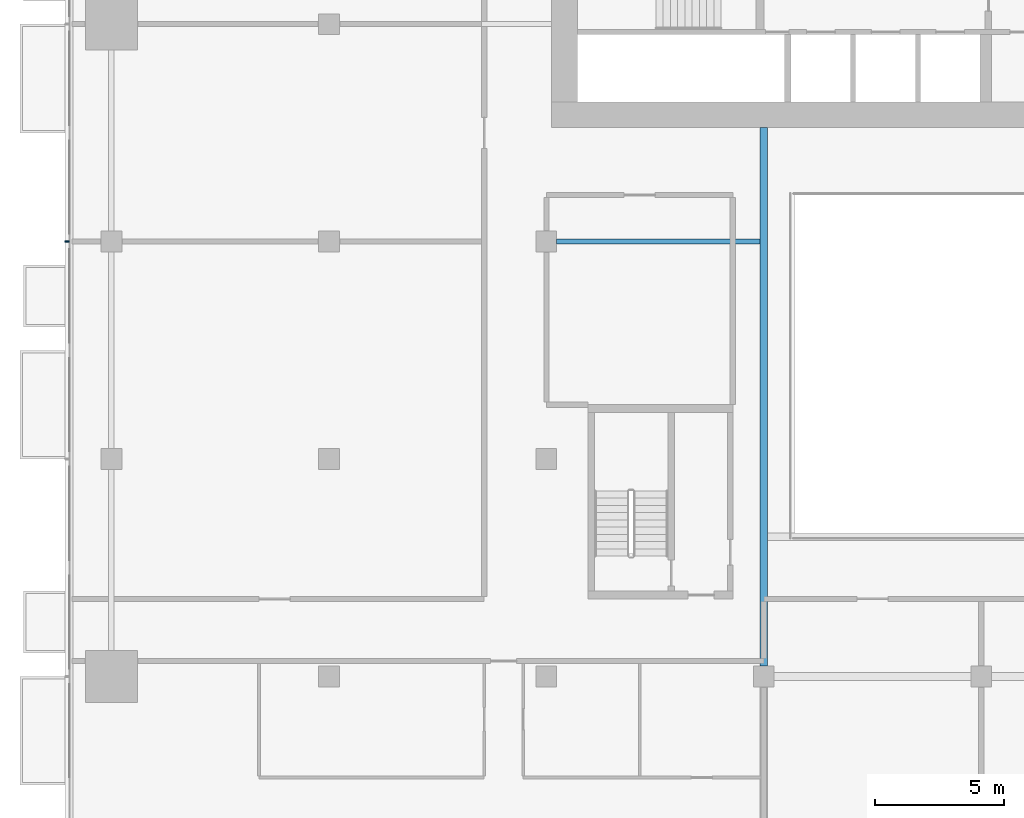
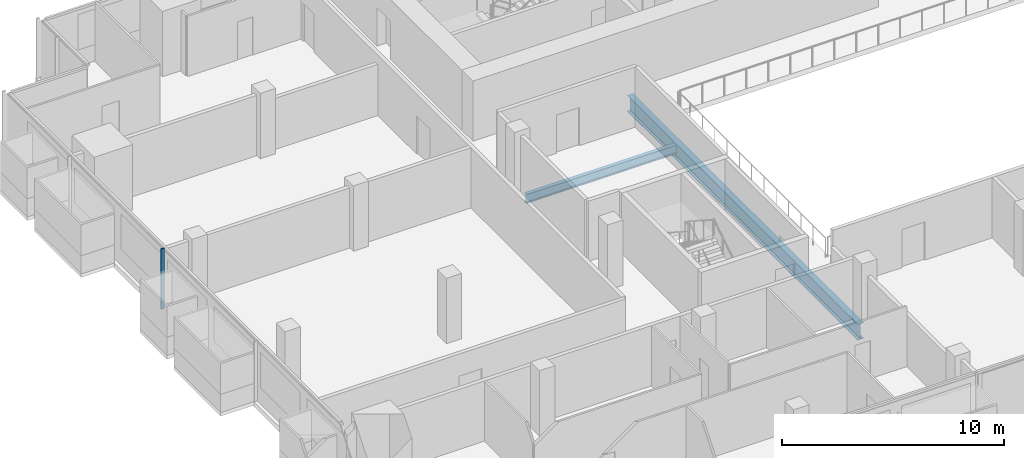
# One storey, part 4 of 26: 2 beams, 1 member, 1 element without a shape of its own.
"""IFC4 building model written with IfcOpenShell, lengths in metres."""

import ifcopenshell
import ifcopenshell.guid

model = None  # the IFC model being written
_history = None  # IfcOwnerHistory: only IFC2X3 demands one
_inside = {}  # id of a spatial element -> (the spatial element, [elements in it])
_under = {}  # id of a project, library or spatial element -> (it, [spatial elements below it])
_declared = {}  # id of a project -> (the project, [libraries it declares])
_typed = {}  # id of a type object -> (the type object, [elements of that type])
_made_of = {}  # id of a material, layer set ... -> (it, [elements and type objects made of it])


def new_model(schema):
    """Start an empty IFC model of exactly this schema.

    Asked for "IFC4X3", IfcOpenShell would pick the latest addendum, in which some entities
    have other attributes; the version numbers below select the first issue.
    IFC2X3 requires an IfcOwnerHistory on every rooted entity: one is made here for all.
    """
    global model, _history
    if schema == "IFC4X3":
        model = ifcopenshell.file(schema_version=(4, 3, 0, 0))
    else:
        model = ifcopenshell.file(schema=schema)
    _inside.clear()
    _under.clear()
    _declared.clear()
    _typed.clear()
    _made_of.clear()
    _history = None
    if model.schema == "IFC2X3":
        org = make("IfcOrganization", Name="unknown")
        user = make(
            "IfcPersonAndOrganization",
            ThePerson=make("IfcPerson", FamilyName="unknown"),
            TheOrganization=org,
        )
        app = make(
            "IfcApplication",
            ApplicationDeveloper=org,
            Version="unknown",
            ApplicationFullName="unknown",
            ApplicationIdentifier="unknown",
        )
        _history = make(
            "IfcOwnerHistory",
            OwningUser=user,
            OwningApplication=app,
            ChangeAction="ADDED",
            CreationDate=0,
        )
    return model


def make(cls, **values):
    """One entity of the class cls with the attributes given. An attribute that is None is left unset."""
    return model.create_entity(
        cls, **{name: value for name, value in values.items() if value is not None}
    )


def rooted(cls, **values):
    """An entity with a GlobalId (a new one), such as an element, a storey or a relation."""
    return make(cls, GlobalId=ifcopenshell.guid.new(), OwnerHistory=_history, **values)


def si_unit(unit_type, name, prefix=None):
    """IfcSIUnit, for example si_unit("LENGTHUNIT", "METRE", prefix="MILLI")."""
    return make("IfcSIUnit", UnitType=unit_type, Prefix=prefix, Name=name)


def assignment(units):
    """IfcUnitAssignment: the units of a project."""
    return None if units is None else make("IfcUnitAssignment", Units=units)


def point(xyz):
    """IfcCartesianPoint."""
    return None if xyz is None else make("IfcCartesianPoint", Coordinates=xyz)


def direction(xyz):
    """IfcDirection."""
    return None if xyz is None else make("IfcDirection", DirectionRatios=xyz)


def frame(location, z_axis=None, x_axis=None):
    """IfcAxis2Placement3D, a coordinate frame: its origin and axes. An axis left out is left unset."""
    return make(
        "IfcAxis2Placement3D",
        Location=point(location),
        Axis=direction(z_axis),
        RefDirection=direction(x_axis),
    )


def frame_2d(location, x_axis=None):
    """IfcAxis2Placement2D, a coordinate frame in the plane: its origin and x axis."""
    return make(
        "IfcAxis2Placement2D", Location=point(location), RefDirection=direction(x_axis)
    )


def origin():
    """The frame at (0, 0, 0) with its axes left unset."""
    return frame((0.0, 0.0, 0.0))


def origin_2d():
    """The frame at (0, 0) in the plane with its x axis left unset."""
    return frame_2d((0.0, 0.0))


def place(relative_to, where):
    """IfcLocalPlacement: puts the frame where relative to a parent placement (None: the world)."""
    return make(
        "IfcLocalPlacement", PlacementRelTo=relative_to, RelativePlacement=where
    )


def context(
    kind, dimensions, precision=None, world=None, true_north=None, identifier=None
):
    """IfcGeometricRepresentationContext, for example the 3D "Model" context."""
    return make(
        "IfcGeometricRepresentationContext",
        ContextIdentifier=identifier,
        ContextType=kind,
        CoordinateSpaceDimension=dimensions,
        Precision=precision,
        WorldCoordinateSystem=world,
        TrueNorth=true_north,
    )


def subcontext(parent, identifier, kind, view, scale=None):
    """IfcGeometricRepresentationSubContext, for example "Body" below "Model"."""
    return make(
        "IfcGeometricRepresentationSubContext",
        ContextIdentifier=identifier,
        ContextType=kind,
        ParentContext=parent,
        TargetScale=scale,
        TargetView=view,
    )


def project(units=None, contexts=None):
    """IfcProject with its units and contexts."""
    return rooted(
        "IfcProject",
        Name="project",
        RepresentationContexts=contexts,
        UnitsInContext=assignment(units),
    )


def spatial(cls, under=None, at=None, **own):
    """A site, building, storey or space (cls), placed at a placement, below another one or the project."""
    s = rooted(cls, ObjectPlacement=at, **own)
    if under is not None:
        _under.setdefault(under.id(), (under, []))[1].append(s)
    return s


def profile(cls, at=None, kind="AREA", **sizes):
    """A parametric profile (cls). Its sizes go by their IFC names, for example OverallWidth=200.0."""
    return make(cls, ProfileType=kind, Position=at, **sizes)


def rectangle(**sizes):
    """IfcRectangleProfileDef."""
    return profile("IfcRectangleProfileDef", **sizes)


def i_section(**sizes):
    """IfcIShapeProfileDef."""
    return profile("IfcIShapeProfileDef", **sizes)


def extrude(swept, where, along, depth):
    """IfcExtrudedAreaSolid: the profile swept, set in the frame where, extruded along a direction by depth."""
    return make(
        "IfcExtrudedAreaSolid",
        SweptArea=swept,
        Position=where,
        ExtrudedDirection=direction(along),
        Depth=depth,
    )


def shape(context_of_items, identifier, shape_type, items):
    """IfcShapeRepresentation: the items that make up one representation, for example the "Body"."""
    return make(
        "IfcShapeRepresentation",
        ContextOfItems=context_of_items,
        RepresentationIdentifier=identifier,
        RepresentationType=shape_type,
        Items=items,
    )


def material(Name=None, Category=None):
    """IfcMaterial."""
    return make("IfcMaterial", Name=Name, Category=Category)


def material_profile(
    of_material, cross_section, Name=None, Category=None, Priority=None
):
    """IfcMaterialProfile: a cross section and its material."""
    return make(
        "IfcMaterialProfile",
        Name=Name,
        Material=of_material,
        Profile=cross_section,
        Priority=Priority,
        Category=Category,
    )


def profile_set(profiles, Name=None, composite=None):
    """IfcMaterialProfileSet."""
    return make(
        "IfcMaterialProfileSet",
        Name=Name,
        MaterialProfiles=profiles,
        CompositeProfile=composite,
    )


def made_of(thing, what):
    """Note that an element or type object is made of a material, layer set ...; save() writes the relation."""
    if what is not None:
        _made_of.setdefault(what.id(), (what, []))[1].append(thing)
    return thing


def type_object(cls, material=None, **own):
    """A type object (cls), such as IfcWallType, which elements share."""
    return made_of(rooted(cls, **own), material)


def element(
    cls,
    number,
    at=None,
    inside=None,
    cuts=None,
    type_object=None,
    material=None,
    context=None,
    identifier="Body",
    shape_type=None,
    held_by="IfcProductDefinitionShape",
    body=None,
    shapes=None,
    **own,
):
    """One element of the class cls, such as IfcWall. Its Tag is "e" and its number.

    at: its placement. inside: the storey or other place that contains it. cuts: it is an
    opening in that element (IfcRelVoidsElement). A single representation is given by context,
    identifier, shape_type and body (its items); several are given by shapes. held_by: the class
    of the entity that holds the representations. save() writes the other relations.
    """
    e = rooted(cls, Tag="e%d" % number, ObjectPlacement=at, **own)
    if body is not None:
        shapes = [shape(context, identifier, shape_type, body)]
    if shapes is not None:
        e.Representation = make(held_by, Representations=shapes)
    if inside is not None:
        _inside.setdefault(inside.id(), (inside, []))[1].append(e)
    if cuts is not None:
        rooted(
            "IfcRelVoidsElement", RelatingBuildingElement=cuts, RelatedOpeningElement=e
        )
    if type_object is not None:
        _typed.setdefault(type_object.id(), (type_object, []))[1].append(e)
    return made_of(e, material)


def aggregate(whole, parts):
    """IfcRelAggregates: a whole, such as a stair, and the parts it consists of."""
    return rooted("IfcRelAggregates", RelatingObject=whole, RelatedObjects=parts)


def save(model, path):
    """Write the relations noted so far, then the file.

    IfcRelAggregates (storeys below a building ...), IfcRelContainedInSpatialStructure (elements
    in a storey), IfcRelDefinesByType, IfcRelAssociatesMaterial and IfcRelDeclares: one each for
    every whole, place, type object, material and project.
    """
    for whole, parts in _under.values():
        aggregate(whole, parts)
    for where, things in _inside.values():
        rooted(
            "IfcRelContainedInSpatialStructure",
            RelatedElements=things,
            RelatingStructure=where,
        )
    for kind, things in _typed.values():
        rooted("IfcRelDefinesByType", RelatedObjects=things, RelatingType=kind)
    for what, things in _made_of.values():
        rooted("IfcRelAssociatesMaterial", RelatedObjects=things, RelatingMaterial=what)
    for by, libraries in _declared.values():
        rooted("IfcRelDeclares", RelatingContext=by, RelatedDefinitions=libraries)
    model.write(path)


model = new_model("IFC4")

# Units and contexts
model_context = context("Model", 3, precision=1e-05, world=origin(), true_north=direction((0.0, 1.0)))
body_context = subcontext(model_context, "Body", "Model", "MODEL_VIEW")
ifc_project = project(units=[si_unit("LENGTHUNIT", "METRE"), si_unit("AREAUNIT", "SQUARE_METRE"), si_unit("VOLUMEUNIT", "CUBIC_METRE"), si_unit("PLANEANGLEUNIT", "RADIAN"), si_unit("MASSUNIT", "GRAM", prefix="KILO")], contexts=[model_context])

# Site, building, storey
site_placement = place(None, origin())
site = spatial("IfcSite", under=ifc_project, at=site_placement, CompositionType="ELEMENT")
building_placement = place(site_placement, origin())
building = spatial("IfcBuilding", under=site, at=building_placement, Name="Saffron Gate Tower", CompositionType="ELEMENT")
storey_placement = place(building_placement, frame((0.0, 0.0, 102.449951171875)))
storey = spatial("IfcBuildingStorey", under=building, at=storey_placement, Name="L23", CompositionType="ELEMENT", Elevation=102.449951171875)

# Beams
ifc_material_1 = material(Name="Structural steel S355", Category="steel")
ifc_material_profile_1 = material_profile(ifc_material_1, i_section(OverallWidth=0.199951171875, OverallDepth=0.5, WebThickness=0.01025390625, FlangeThickness=0.01611328125, FilletRadius=0.02099609375, at=origin_2d()))
ifc_profile_set_1 = profile_set([ifc_material_profile_1], Name="Structural steel S355")
beam_type_1 = type_object("IfcBeamType", Name="B10 IPE 500", PredefinedType="BEAM", material=ifc_profile_set_1)
beam_1_placement = place(storey_placement, frame((67.0, 57.0, -0.530029296875), z_axis=(1.0, 0.0, 0.0), x_axis=(0.0, 1.0, 0.0)))
element("IfcBeam", 1, at=beam_1_placement, inside=storey, type_object=beam_type_1, Name="B10 CORE TIE BEAM", PredefinedType="BEAM", context=body_context, shape_type="SweptSolid", body=[
    extrude(i_section(OverallWidth=0.199951171875, OverallDepth=0.5, WebThickness=0.01025390625, FlangeThickness=0.01611328125, FilletRadius=0.02099609375, at=origin_2d()), origin(), (0.0, 0.0, 1.0), 7.85009765625),
])
ifc_material_profile_2 = material_profile(ifc_material_1, i_section(OverallWidth=0.300048828125, OverallDepth=0.889892578125, WebThickness=0.01611328125, FlangeThickness=0.030029296875, FilletRadius=0.030029296875, at=origin_2d()))
ifc_profile_set_2 = profile_set([ifc_material_profile_2], Name="Structural steel S355")
beam_type_2 = type_object("IfcBeamType", Name="B19 HEA 900", PredefinedType="BEAM", material=ifc_profile_set_2)
beam_2_placement = place(storey_placement, frame((75.0, 40.60009765625, -0.724853515625), z_axis=(0.0, 1.0, 0.0), x_axis=(-1.0, 0.0, 0.0)))
element("IfcBeam", 2, at=beam_2_placement, inside=storey, type_object=beam_type_2, Name="B19 ATRIUM GIRDER", PredefinedType="BEAM", context=body_context, shape_type="SweptSolid", body=[
    extrude(i_section(OverallWidth=0.300048828125, OverallDepth=0.889892578125, WebThickness=0.01611328125, FlangeThickness=0.030029296875, FilletRadius=0.030029296875, at=origin_2d()), origin(), (0.0, 0.0, 1.0), 20.7998046875),
])

# Curtain wall, member
ifc_material_2 = material(Name="Aluminium, bronze anodised", Category="aluminium")
curtain_wall_type = type_object("IfcCurtainWallType", Name="CWS2 curtain wall side facades", PredefinedType="NOTDEFINED", material=ifc_material_2)
curtain_wall_placement = place(storey_placement, origin())
curtain_wall = element("IfcCurtainWall", 3, at=curtain_wall_placement, inside=storey, type_object=curtain_wall_type, Name="CWS2 run 10", PredefinedType="NOTDEFINED")
ifc_material_profile_3 = material_profile(ifc_material_2, rectangle(XDim=0.159912109375, YDim=0.06005859375, at=origin_2d()))
ifc_profile_set_3 = profile_set([ifc_material_profile_3], Name="Aluminium, bronze anodised")
member_type = type_object("IfcMemberType", Name="CWS2 mullion 60x160", PredefinedType="MULLION", material=ifc_profile_set_3)
member_placement = place(storey_placement, frame((48.080078125, 57.0, 0.0), z_axis=(0.0, 0.0, 1.0), x_axis=(1.0, 0.0, 0.0)))
member = element("IfcMember", 4, at=member_placement, type_object=member_type, Name="CWS2 mullion 3", PredefinedType="MULLION", context=body_context, shape_type="SweptSolid", body=[
    extrude(rectangle(XDim=0.159912109375, YDim=0.06005859375, at=origin_2d()), origin(), (0.0, 0.0, 1.0), 3.320068359375),
])
aggregate(curtain_wall, [member])

save(model, "model.ifc")
